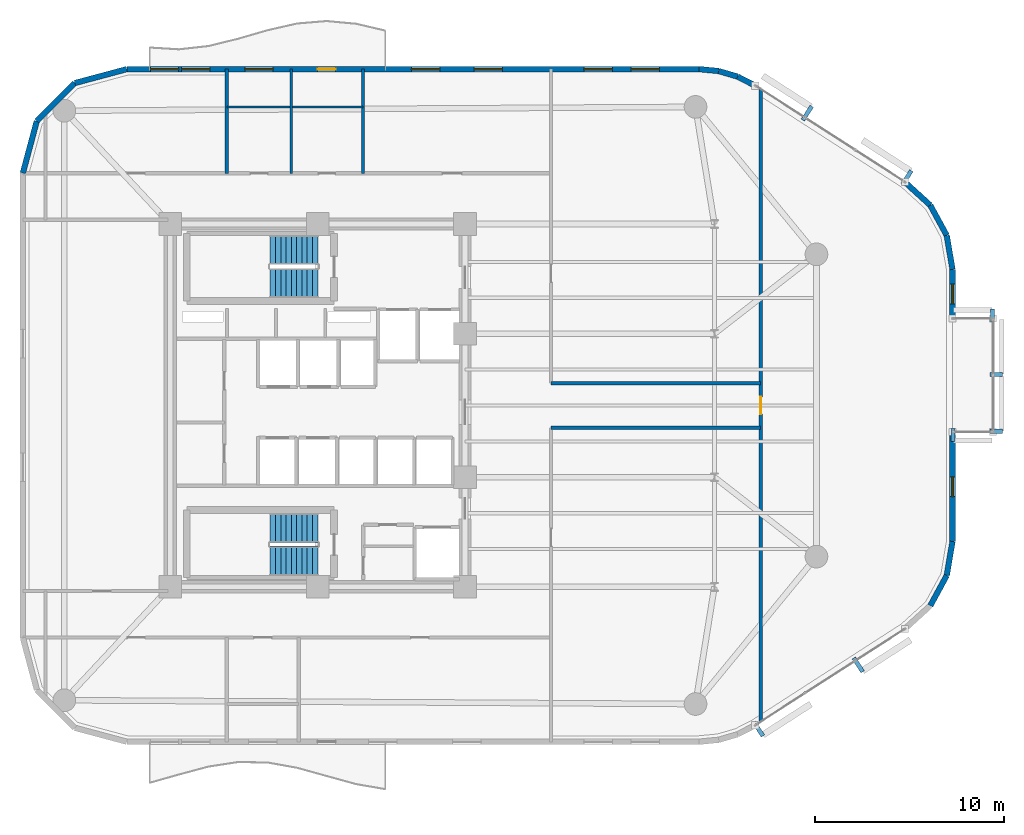
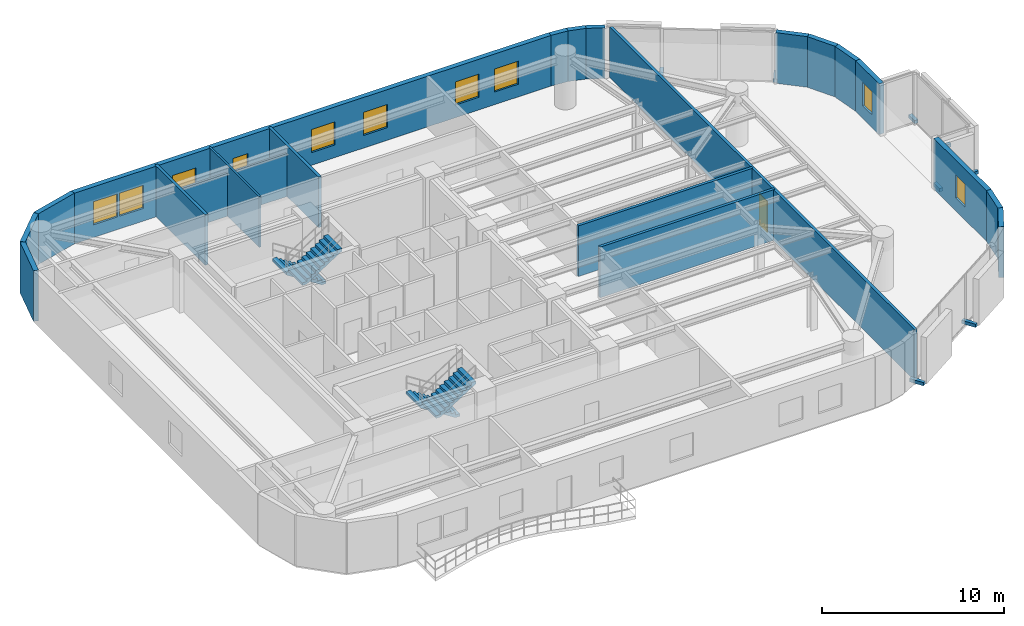
# One storey, part 10 of 12: 21 walls, 9 windows, 8 discrete accessories, 4 stair flights, 2 doors, 11 openings, 2 elements without a shape of their own.
"""IFC4 building model written with IfcOpenShell, lengths in metres."""

from ifc_helpers import new_model, si_unit, direction, frame, frame_2d, origin, origin_2d, place, context, subcontext, project, spatial, polyline, rectangle, outline, extrude, material, layer, layer_set, type_object, element, fill, aggregate, save


model = new_model("IFC4")

# Units and contexts
model_context = context("Model", 3, precision=1e-05, world=origin(), true_north=direction((0.0, 1.0)))
body_context = subcontext(model_context, "Body", "Model", "MODEL_VIEW")
ifc_project = project(units=[si_unit("LENGTHUNIT", "METRE"), si_unit("AREAUNIT", "SQUARE_METRE"), si_unit("VOLUMEUNIT", "CUBIC_METRE"), si_unit("PLANEANGLEUNIT", "RADIAN"), si_unit("MASSUNIT", "GRAM", prefix="KILO")], contexts=[model_context])

# Site, building, storey
site_placement = place(None, origin())
site = spatial("IfcSite", under=ifc_project, at=site_placement, CompositionType="ELEMENT")
building_placement = place(site_placement, origin())
building = spatial("IfcBuilding", under=site, at=building_placement, Name="An Khanh Terracotta Commons", CompositionType="ELEMENT")
storey_placement = place(building_placement, frame((0.0, 0.0, 161.800048828125)))
storey = spatial("IfcBuildingStorey", under=building, at=storey_placement, Name="L42", CompositionType="ELEMENT", Elevation=161.800048828125)

# Walls
ifc_material_1 = material(Name="Fire-Rated Gypsum Board on Steel Stud", Category="steel")
ifc_layer_1 = layer(ifc_material_1, 0.179931640625, Name="Fire-Rated Gypsum Board on Steel Stud")
ifc_layer_set_1 = layer_set([ifc_layer_1], Name="Fire-Rated Gypsum Board on Steel Stud")
wall_type_1 = type_object("IfcWallType", Name="WALL-CORR-180", PredefinedType="PARTITIONING", material=ifc_layer_set_1)
for number, where, z_axis, x_axis, name in (
    (1, (41.75, 22.820068359375, 0.0), (0.0, 0.0, 1.0), (1.0, 0.0, 0.0), "L42 Interior Partition IW-L42-E004"),
    (2, (41.75, 25.179931640625, 0.0), (0.0, 0.0, 1.0), (1.0, 0.0, 0.0), "L42 Interior Partition IW-L42-E005"),
):
    element("IfcWall", number, at=place(storey_placement, frame(where, z_axis=z_axis, x_axis=x_axis)), inside=storey, type_object=wall_type_1, Name=name, PredefinedType="PARTITIONING", context=body_context, shape_type="SweptSolid", body=[
        extrude(rectangle(XDim=11.10009765625, YDim=0.179931640625, at=frame_2d((5.550048828125, 0.0))), origin(), (0.0, 0.0, 1.0), 3.39990234375),
    ])
for number, where, z_axis, x_axis, name in (
    (3, (24.60009765625, 36.280029296875, 0.0), (0.0, 0.0, 1.0), (0.0, 1.0, 0.0), "L42 Interior Partition IW-L42-E012"),
    (4, (31.800048828125, 36.280029296875, 0.0), (0.0, 0.0, 1.0), (0.0, 1.0, 0.0), "L42 Interior Partition IW-L42-E015"),
):
    element("IfcWall", number, at=place(storey_placement, frame(where, z_axis=z_axis, x_axis=x_axis)), inside=storey, type_object=wall_type_1, Name=name, PredefinedType="PARTITIONING", context=body_context, shape_type="SweptSolid", body=[
        extrude(rectangle(XDim=5.52001953125, YDim=0.179931640625, at=frame_2d((2.760009765625, 0.0))), origin(), (0.0, 0.0, 1.0), 3.39990234375),
    ])

# Wall, opening, door
wall_1_placement = place(storey_placement, frame((52.85009765625, 7.262939453125, 0.0), z_axis=(0.0, 0.0, 1.0), x_axis=(0.0, 1.0, 0.0)))
wall_1 = element("IfcWall", 5, at=wall_1_placement, inside=storey, type_object=wall_type_1, Name="L42 Interior Partition IW-L42-E018", PredefinedType="PARTITIONING", context=body_context, shape_type="SweptSolid", body=[
    extrude(rectangle(XDim=33.47412109375, YDim=0.179931640625, at=frame_2d((16.737060546875, 0.0))), origin(), (0.0, 0.0, 1.0), 3.39990234375),
])
opening_1_placement = place(wall_1_placement, frame((16.277099609375, 0.0, 0.0)))
opening_1 = element("IfcOpeningElement", 6, at=opening_1_placement, cuts=wall_1, Name="Opening D-RM", PredefinedType="OPENING", context=body_context, shape_type="SweptSolid", body=[
    extrude(rectangle(XDim=0.919921875, YDim=2.10009765625, at=frame_2d((0.4599609375, 1.050048828125))), frame((0.0, 0.099853515625, 0.0), z_axis=(0.0, -1.0, 0.0), x_axis=(1.0, 0.0, 0.0)), (0.0, 0.0, 1.0), 0.199951171875),
])
ifc_material_2 = material(Name="Engineered Hardwood Timber Leaf", Category="wood")
door_type_1 = type_object("IfcDoorType", Name="DOOR-INT-920", OperationType="NOTDEFINED", PredefinedType="DOOR", material=ifc_material_2)
door_1_placement = place(opening_1_placement, origin())
door_1 = element("IfcDoor", 7, at=door_1_placement, inside=storey, type_object=door_type_1, Name="L42 GHALL Riverfront Reference Library Door", OperationType="SINGLE_SWING_RIGHT", OverallHeight=2.10009765625, OverallWidth=0.919921875, PredefinedType="DOOR", context=body_context, shape_type="SweptSolid", body=[
    extrude(rectangle(XDim=0.919921875, YDim=2.10009765625, at=frame_2d((0.4599609375, 1.050048828125))), frame((0.0, 0.02490234375, 0.0), z_axis=(0.0, -1.0, 0.0), x_axis=(1.0, 0.0, 0.0)), (0.0, 0.0, 1.0), 0.050048828125),
])
fill(opening_1, door_1)

# Walls
ifc_material_3 = material(Name="Precast concrete C40/50", Category="concrete")
ifc_layer_2 = layer(ifc_material_3, 0.300048828125, Name="Precast concrete C40/50")
ifc_layer_set_2 = layer_set([ifc_layer_2], Name="Precast concrete C40/50")
wall_type_2 = type_object("IfcWallType", Name="WALL-EXT-300", PredefinedType="SOLIDWALL", material=ifc_layer_set_2)
wall_2_placement = place(storey_placement, frame((61.825927734375, 13.403076171875, 0.0), z_axis=(0.0, 0.0, 1.0), x_axis=(0.478608030646, 0.878028674362, 0.0)))
element("IfcWall", 8, at=wall_2_placement, inside=storey, type_object=wall_type_2, Name="L42 Insulated Terracotta Exterior Wall 10", PredefinedType="SOLIDWALL", context=body_context, shape_type="SweptSolid", body=[
    extrude(rectangle(XDim=1.822021484375, YDim=0.300048828125, at=frame_2d((0.9111328125, 0.0))), origin(), (0.0, 0.0, 1.0), 3.39990234375),
])
wall_3_placement = place(storey_placement, frame((62.697998046875, 15.0029296875, 0.0), z_axis=(0.0, 0.0, 1.0), x_axis=(0.165724081207, 0.986172159873, 0.0)))
element("IfcWall", 9, at=wall_3_placement, inside=storey, type_object=wall_type_2, Name="L42 Insulated Terracotta Exterior Wall 11", PredefinedType="SOLIDWALL", context=body_context, shape_type="SweptSolid", body=[
    extrude(rectangle(XDim=1.822265625, YDim=0.300048828125, at=frame_2d((0.9111328125, 0.0))), origin(), (0.0, 0.0, 1.0), 3.39990234375),
])

# Wall, opening, window
wall_4_placement = place(storey_placement, frame((63.0, 16.800048828125, 0.0), z_axis=(0.0, 0.0, 1.0), x_axis=(0.0, 1.0, 0.0)))
wall_4 = element("IfcWall", 10, at=wall_4_placement, inside=storey, type_object=wall_type_2, Name="L42 East Nose Wall South", PredefinedType="SOLIDWALL", context=body_context, shape_type="SweptSolid", body=[
    extrude(rectangle(XDim=5.800048828125, YDim=0.300048828125, at=frame_2d((2.89990234375, 0.0))), origin(), (0.0, 0.0, 1.0), 3.39990234375),
])
opening_2_placement = place(wall_4_placement, frame((2.375, 0.0, 0.85009765625)))
opening_2 = element("IfcOpeningElement", 11, at=opening_2_placement, cuts=wall_4, Name="Opening W-06", PredefinedType="OPENING", context=body_context, shape_type="SweptSolid", body=[
    extrude(rectangle(XDim=1.050048828125, YDim=1.550048828125, at=frame_2d((0.52490234375, 0.77490234375))), frame((0.0, 0.159912109375, 0.0), z_axis=(0.0, -1.0, 0.0), x_axis=(1.0, 0.0, 0.0)), (0.0, 0.0, 1.0), 0.320068359375),
])
ifc_material_4 = material(Name="Thermally Broken Aluminium and Low-E Glass", Category="aluminium")
window_type_1 = type_object("IfcWindowType", Name="WIN-COR-1050x1550", PartitioningType="SINGLE_PANEL", PredefinedType="WINDOW", material=ifc_material_4)
window_1_placement = place(opening_2_placement, origin())
window_1 = element("IfcWindow", 12, at=window_1_placement, inside=storey, type_object=window_type_1, Name="L42 East Nose South Casement Window", OverallHeight=1.550048828125, OverallWidth=1.050048828125, PartitioningType="SINGLE_PANEL", PredefinedType="WINDOW", context=body_context, shape_type="SweptSolid", body=[
    extrude(rectangle(XDim=1.050048828125, YDim=1.550048828125, at=frame_2d((0.52490234375, 0.77490234375))), frame((0.0, 0.030029296875, 0.0), z_axis=(0.0, -1.0, 0.0), x_axis=(1.0, 0.0, 0.0)), (0.0, 0.0, 1.0), 0.06005859375),
])
fill(opening_2, window_1)

wall_5_placement = place(storey_placement, frame((63.0, 28.60009765625, 0.0), z_axis=(0.0, 0.0, 1.0), x_axis=(0.0, 1.0, 0.0)))
wall_5 = element("IfcWall", 13, at=wall_5_placement, inside=storey, type_object=wall_type_2, Name="L42 East Nose Wall North", PredefinedType="SOLIDWALL", context=body_context, shape_type="SweptSolid", body=[
    extrude(rectangle(XDim=2.599853515625, YDim=0.300048828125, at=frame_2d((1.2998046875, 0.0))), origin(), (0.0, 0.0, 1.0), 3.39990234375),
])
opening_3_placement = place(wall_5_placement, frame((0.77490234375, 0.0, 0.85009765625)))
opening_3 = element("IfcOpeningElement", 14, at=opening_3_placement, cuts=wall_5, Name="Opening W-06", PredefinedType="OPENING", context=body_context, shape_type="SweptSolid", body=[
    extrude(rectangle(XDim=1.050048828125, YDim=1.550048828125, at=frame_2d((0.52490234375, 0.77490234375))), frame((0.0, 0.159912109375, 0.0), z_axis=(0.0, -1.0, 0.0), x_axis=(1.0, 0.0, 0.0)), (0.0, 0.0, 1.0), 0.320068359375),
])
window_2_placement = place(opening_3_placement, origin())
window_2 = element("IfcWindow", 15, at=window_2_placement, inside=storey, type_object=window_type_1, Name="L42 East Nose North Casement Window", OverallHeight=1.550048828125, OverallWidth=1.050048828125, PartitioningType="SINGLE_PANEL", PredefinedType="WINDOW", context=body_context, shape_type="SweptSolid", body=[
    extrude(rectangle(XDim=1.050048828125, YDim=1.550048828125, at=frame_2d((0.52490234375, 0.77490234375))), frame((0.0, 0.030029296875, 0.0), z_axis=(0.0, -1.0, 0.0), x_axis=(1.0, 0.0, 0.0)), (0.0, 0.0, 1.0), 0.06005859375),
])
fill(opening_3, window_2)

# Walls
wall_6_placement = place(storey_placement, frame((63.0, 31.199951171875, 0.0), z_axis=(0.0, 0.0, 1.0), x_axis=(-0.165724081207, 0.986172159873, 0.0)))
element("IfcWall", 16, at=wall_6_placement, inside=storey, type_object=wall_type_2, Name="L42 Insulated Terracotta Exterior Wall 13", PredefinedType="SOLIDWALL", context=body_context, shape_type="SweptSolid", body=[
    extrude(rectangle(XDim=1.822265625, YDim=0.300048828125, at=frame_2d((0.9111328125, 0.0))), origin(), (0.0, 0.0, 1.0), 3.39990234375),
])
wall_7_placement = place(storey_placement, frame((62.697998046875, 32.9970703125, 0.0), z_axis=(0.0, 0.0, 1.0), x_axis=(-0.478608030646, 0.878028674362, 0.0)))
element("IfcWall", 17, at=wall_7_placement, inside=storey, type_object=wall_type_2, Name="L42 Insulated Terracotta Exterior Wall 14", PredefinedType="SOLIDWALL", context=body_context, shape_type="SweptSolid", body=[
    extrude(rectangle(XDim=1.822021484375, YDim=0.300048828125, at=frame_2d((0.9111328125, 0.0))), origin(), (0.0, 0.0, 1.0), 3.39990234375),
])
wall_8_placement = place(storey_placement, frame((61.825927734375, 34.596923828125, 0.0), z_axis=(0.0, 0.0, 1.0), x_axis=(-0.73947929393, 0.673179302897, 0.0)))
element("IfcWall", 18, at=wall_8_placement, inside=storey, type_object=wall_type_2, Name="L42 Insulated Terracotta Exterior Wall 15", PredefinedType="SOLIDWALL", context=body_context, shape_type="SweptSolid", body=[
    extrude(rectangle(XDim=1.82275390625, YDim=0.300048828125, at=frame_2d((0.911376953125, 0.0))), origin(), (0.0, 0.0, 1.0), 3.39990234375),
])
wall_9_placement = place(storey_placement, frame((52.56005859375, 40.924072265625, 0.0), z_axis=(0.0, 0.0, 1.0), x_axis=(-0.888283247196, 0.459296062198, 0.0)))
element("IfcWall", 19, at=wall_9_placement, inside=storey, type_object=wall_type_2, Name="L42 Insulated Terracotta Exterior Wall 17", PredefinedType="SOLIDWALL", context=body_context, shape_type="SweptSolid", body=[
    extrude(rectangle(XDim=1.047119140625, YDim=0.300048828125, at=frame_2d((0.5234375, 0.0))), origin(), (0.0, 0.0, 1.0), 3.39990234375),
])
wall_10_placement = place(storey_placement, frame((51.6298828125, 41.405029296875, 0.0), z_axis=(0.0, 0.0, 1.0), x_axis=(-0.959528674476, 0.281610942363, 0.0)))
element("IfcWall", 20, at=wall_10_placement, inside=storey, type_object=wall_type_2, Name="L42 Insulated Terracotta Exterior Wall 18", PredefinedType="SOLIDWALL", context=body_context, shape_type="SweptSolid", body=[
    extrude(rectangle(XDim=1.04736328125, YDim=0.300048828125, at=frame_2d((0.523681640625, 0.0))), origin(), (0.0, 0.0, 1.0), 3.39990234375),
])
wall_11_placement = place(storey_placement, frame((50.625, 41.699951171875, 0.0), z_axis=(0.0, 0.0, 1.0), x_axis=(-0.995426089968, 0.095534807324, 0.0)))
element("IfcWall", 21, at=wall_11_placement, inside=storey, type_object=wall_type_2, Name="L42 Insulated Terracotta Exterior Wall 19", PredefinedType="SOLIDWALL", context=body_context, shape_type="SweptSolid", body=[
    extrude(rectangle(XDim=1.0478515625, YDim=0.300048828125, at=frame_2d((0.52392578125, 0.0))), origin(), (0.0, 0.0, 1.0), 3.39990234375),
])

# Wall, openings, door, windows
wall_12_placement = place(storey_placement, frame((49.58203125, 41.800048828125, 0.0), z_axis=(0.0, 0.0, 1.0), x_axis=(-1.0, 0.0, 0.0)))
wall_12 = element("IfcWall", 22, at=wall_12_placement, inside=storey, type_object=wall_type_2, Name="L42 Insulated Terracotta Exterior Wall 20", PredefinedType="SOLIDWALL", context=body_context, shape_type="SweptSolid", body=[
    extrude(rectangle(XDim=30.281982421875, YDim=0.300048828125, at=frame_2d((15.14111328125, 0.0))), origin(), (0.0, 0.0, 1.0), 3.39990234375),
])
opening_4_placement = place(wall_12_placement, frame((19.23193359375, 0.0, 0.0)))
opening_4 = element("IfcOpeningElement", 23, at=opening_4_placement, cuts=wall_12, Name="Opening D-BAL", PredefinedType="OPENING", context=body_context, shape_type="SweptSolid", body=[
    extrude(rectangle(XDim=0.949951171875, YDim=2.199951171875, at=frame_2d((0.47509765625, 1.10009765625))), frame((0.0, 0.159912109375, 0.0), z_axis=(0.0, -1.0, 0.0), x_axis=(1.0, 0.0, 0.0)), (0.0, 0.0, 1.0), 0.320068359375),
])
opening_5_placement = place(wall_12_placement, frame((2.093994140625, 0.0, 0.85009765625)))
opening_5 = element("IfcOpeningElement", 24, at=opening_5_placement, cuts=wall_12, Name="Opening W-03", PredefinedType="OPENING", context=body_context, shape_type="SweptSolid", body=[
    extrude(rectangle(XDim=1.5, YDim=1.550048828125, at=frame_2d((0.75, 0.77490234375))), frame((0.0, 0.159912109375, 0.0), z_axis=(0.0, -1.0, 0.0), x_axis=(1.0, 0.0, 0.0)), (0.0, 0.0, 1.0), 0.320068359375),
])
opening_6_placement = place(wall_12_placement, frame((4.587890625, 0.0, 0.85009765625)))
opening_6 = element("IfcOpeningElement", 25, at=opening_6_placement, cuts=wall_12, Name="Opening W-03", PredefinedType="OPENING", context=body_context, shape_type="SweptSolid", body=[
    extrude(rectangle(XDim=1.5, YDim=1.550048828125, at=frame_2d((0.75, 0.77490234375))), frame((0.0, 0.159912109375, 0.0), z_axis=(0.0, -1.0, 0.0), x_axis=(1.0, 0.0, 0.0)), (0.0, 0.0, 1.0), 0.320068359375),
])
opening_7_placement = place(wall_12_placement, frame((10.39892578125, 0.0, 0.85009765625)))
opening_7 = element("IfcOpeningElement", 26, at=opening_7_placement, cuts=wall_12, Name="Opening W-03", PredefinedType="OPENING", context=body_context, shape_type="SweptSolid", body=[
    extrude(rectangle(XDim=1.5, YDim=1.550048828125, at=frame_2d((0.75, 0.77490234375))), frame((0.0, 0.159912109375, 0.0), z_axis=(0.0, -1.0, 0.0), x_axis=(1.0, 0.0, 0.0)), (0.0, 0.0, 1.0), 0.320068359375),
])
opening_8_placement = place(wall_12_placement, frame((13.715087890625, 0.0, 0.85009765625)))
opening_8 = element("IfcOpeningElement", 27, at=opening_8_placement, cuts=wall_12, Name="Opening W-03", PredefinedType="OPENING", context=body_context, shape_type="SweptSolid", body=[
    extrude(rectangle(XDim=1.5, YDim=1.550048828125, at=frame_2d((0.75, 0.77490234375))), frame((0.0, 0.159912109375, 0.0), z_axis=(0.0, -1.0, 0.0), x_axis=(1.0, 0.0, 0.0)), (0.0, 0.0, 1.0), 0.320068359375),
])
opening_9_placement = place(wall_12_placement, frame((22.531982421875, 0.0, 0.85009765625)))
opening_9 = element("IfcOpeningElement", 28, at=opening_9_placement, cuts=wall_12, Name="Opening W-03", PredefinedType="OPENING", context=body_context, shape_type="SweptSolid", body=[
    extrude(rectangle(XDim=1.5, YDim=1.550048828125, at=frame_2d((0.75, 0.77490234375))), frame((0.0, 0.159912109375, 0.0), z_axis=(0.0, -1.0, 0.0), x_axis=(1.0, 0.0, 0.0)), (0.0, 0.0, 1.0), 0.320068359375),
])
opening_10_placement = place(wall_12_placement, frame((25.882080078125, 0.0, 0.85009765625)))
opening_10 = element("IfcOpeningElement", 29, at=opening_10_placement, cuts=wall_12, Name="Opening W-03", PredefinedType="OPENING", context=body_context, shape_type="SweptSolid", body=[
    extrude(rectangle(XDim=1.5, YDim=1.550048828125, at=frame_2d((0.75, 0.77490234375))), frame((0.0, 0.159912109375, 0.0), z_axis=(0.0, -1.0, 0.0), x_axis=(1.0, 0.0, 0.0)), (0.0, 0.0, 1.0), 0.320068359375),
])
opening_11_placement = place(wall_12_placement, frame((27.531982421875, 0.0, 0.85009765625)))
opening_11 = element("IfcOpeningElement", 30, at=opening_11_placement, cuts=wall_12, Name="Opening W-03", PredefinedType="OPENING", context=body_context, shape_type="SweptSolid", body=[
    extrude(rectangle(XDim=1.5, YDim=1.550048828125, at=frame_2d((0.75, 0.77490234375))), frame((0.0, 0.159912109375, 0.0), z_axis=(0.0, -1.0, 0.0), x_axis=(1.0, 0.0, 0.0)), (0.0, 0.0, 1.0), 0.320068359375),
])
door_type_2 = type_object("IfcDoorType", Name="DOOR-BALC-950", OperationType="NOTDEFINED", PredefinedType="DOOR", material=ifc_material_4)
door_2_placement = place(opening_4_placement, origin())
door_2 = element("IfcDoor", 31, at=door_2_placement, inside=storey, type_object=door_type_2, Name="L42 N Wave Balcony Glazed Door", OperationType="SINGLE_SWING_RIGHT", OverallHeight=2.199951171875, OverallWidth=0.949951171875, PredefinedType="DOOR", context=body_context, shape_type="SweptSolid", body=[
    extrude(rectangle(XDim=0.949951171875, YDim=2.199951171875, at=frame_2d((0.47509765625, 1.10009765625))), frame((0.0, 0.02490234375, 0.0), z_axis=(0.0, -1.0, 0.0), x_axis=(1.0, 0.0, 0.0)), (0.0, 0.0, 1.0), 0.050048828125),
])
fill(opening_4, door_2)
window_type_2 = type_object("IfcWindowType", Name="WIN-Z3-1500x1550", PartitioningType="DOUBLE_PANEL_VERTICAL", PredefinedType="WINDOW", material=ifc_material_4)
window_3_placement = place(opening_5_placement, origin())
window_3 = element("IfcWindow", 32, at=window_3_placement, inside=storey, type_object=window_type_2, Name="L42 Operable Casement Window 20.1", OverallHeight=1.550048828125, OverallWidth=1.5, PartitioningType="DOUBLE_PANEL_VERTICAL", PredefinedType="WINDOW", context=body_context, shape_type="SweptSolid", body=[
    extrude(rectangle(XDim=1.5, YDim=1.550048828125, at=frame_2d((0.75, 0.77490234375))), frame((0.0, 0.030029296875, 0.0), z_axis=(0.0, -1.0, 0.0), x_axis=(1.0, 0.0, 0.0)), (0.0, 0.0, 1.0), 0.06005859375),
])
fill(opening_5, window_3)
window_4_placement = place(opening_6_placement, origin())
window_4 = element("IfcWindow", 33, at=window_4_placement, inside=storey, type_object=window_type_2, Name="L42 Operable Casement Window 20.2", OverallHeight=1.550048828125, OverallWidth=1.5, PartitioningType="DOUBLE_PANEL_VERTICAL", PredefinedType="WINDOW", context=body_context, shape_type="SweptSolid", body=[
    extrude(rectangle(XDim=1.5, YDim=1.550048828125, at=frame_2d((0.75, 0.77490234375))), frame((0.0, 0.030029296875, 0.0), z_axis=(0.0, -1.0, 0.0), x_axis=(1.0, 0.0, 0.0)), (0.0, 0.0, 1.0), 0.06005859375),
])
fill(opening_6, window_4)
window_5_placement = place(opening_7_placement, origin())
window_5 = element("IfcWindow", 34, at=window_5_placement, inside=storey, type_object=window_type_2, Name="L42 Operable Casement Window 20.3", OverallHeight=1.550048828125, OverallWidth=1.5, PartitioningType="DOUBLE_PANEL_VERTICAL", PredefinedType="WINDOW", context=body_context, shape_type="SweptSolid", body=[
    extrude(rectangle(XDim=1.5, YDim=1.550048828125, at=frame_2d((0.75, 0.77490234375))), frame((0.0, 0.030029296875, 0.0), z_axis=(0.0, -1.0, 0.0), x_axis=(1.0, 0.0, 0.0)), (0.0, 0.0, 1.0), 0.06005859375),
])
fill(opening_7, window_5)
window_6_placement = place(opening_8_placement, origin())
window_6 = element("IfcWindow", 35, at=window_6_placement, inside=storey, type_object=window_type_2, Name="L42 Operable Casement Window 20.4", OverallHeight=1.550048828125, OverallWidth=1.5, PartitioningType="DOUBLE_PANEL_VERTICAL", PredefinedType="WINDOW", context=body_context, shape_type="SweptSolid", body=[
    extrude(rectangle(XDim=1.5, YDim=1.550048828125, at=frame_2d((0.75, 0.77490234375))), frame((0.0, 0.030029296875, 0.0), z_axis=(0.0, -1.0, 0.0), x_axis=(1.0, 0.0, 0.0)), (0.0, 0.0, 1.0), 0.06005859375),
])
fill(opening_8, window_6)
window_7_placement = place(opening_9_placement, origin())
window_7 = element("IfcWindow", 36, at=window_7_placement, inside=storey, type_object=window_type_2, Name="L42 Operable Casement Window 20.5", OverallHeight=1.550048828125, OverallWidth=1.5, PartitioningType="DOUBLE_PANEL_VERTICAL", PredefinedType="WINDOW", context=body_context, shape_type="SweptSolid", body=[
    extrude(rectangle(XDim=1.5, YDim=1.550048828125, at=frame_2d((0.75, 0.77490234375))), frame((0.0, 0.030029296875, 0.0), z_axis=(0.0, -1.0, 0.0), x_axis=(1.0, 0.0, 0.0)), (0.0, 0.0, 1.0), 0.06005859375),
])
fill(opening_9, window_7)
window_8_placement = place(opening_10_placement, origin())
window_8 = element("IfcWindow", 37, at=window_8_placement, inside=storey, type_object=window_type_2, Name="L42 Operable Casement Window 20.6", OverallHeight=1.550048828125, OverallWidth=1.5, PartitioningType="DOUBLE_PANEL_VERTICAL", PredefinedType="WINDOW", context=body_context, shape_type="SweptSolid", body=[
    extrude(rectangle(XDim=1.5, YDim=1.550048828125, at=frame_2d((0.75, 0.77490234375))), frame((0.0, 0.030029296875, 0.0), z_axis=(0.0, -1.0, 0.0), x_axis=(1.0, 0.0, 0.0)), (0.0, 0.0, 1.0), 0.06005859375),
])
fill(opening_10, window_8)
window_9_placement = place(opening_11_placement, origin())
window_9 = element("IfcWindow", 38, at=window_9_placement, inside=storey, type_object=window_type_2, Name="L42 Operable Casement Window 20.7", OverallHeight=1.550048828125, OverallWidth=1.5, PartitioningType="DOUBLE_PANEL_VERTICAL", PredefinedType="WINDOW", context=body_context, shape_type="SweptSolid", body=[
    extrude(rectangle(XDim=1.5, YDim=1.550048828125, at=frame_2d((0.75, 0.77490234375))), frame((0.0, 0.030029296875, 0.0), z_axis=(0.0, -1.0, 0.0), x_axis=(1.0, 0.0, 0.0)), (0.0, 0.0, 1.0), 0.06005859375),
])
fill(opening_11, window_9)

# Walls
wall_13_placement = place(storey_placement, frame((19.300048828125, 41.800048828125, 0.0), z_axis=(0.0, 0.0, 1.0), x_axis=(-0.965908238586, -0.258884674387, 0.0)))
element("IfcWall", 39, at=wall_13_placement, inside=storey, type_object=wall_type_2, Name="L42 Insulated Terracotta Exterior Wall 21", PredefinedType="SOLIDWALL", context=body_context, shape_type="SweptSolid", body=[
    extrude(rectangle(XDim=2.84716796875, YDim=0.300048828125, at=frame_2d((1.423583984375, 0.0))), origin(), (0.0, 0.0, 1.0), 3.39990234375),
])
wall_14_placement = place(storey_placement, frame((16.550048828125, 41.06298828125, 0.0), z_axis=(0.0, 0.0, 1.0), x_axis=(-0.707106781187, -0.707106781187, 0.0)))
element("IfcWall", 40, at=wall_14_placement, inside=storey, type_object=wall_type_2, Name="L42 Insulated Terracotta Exterior Wall 22", PredefinedType="SOLIDWALL", context=body_context, shape_type="SweptSolid", body=[
    extrude(rectangle(XDim=2.8466796875, YDim=0.300048828125, at=frame_2d((1.42333984375, 0.0))), origin(), (0.0, 0.0, 1.0), 3.39990234375),
])
wall_15_placement = place(storey_placement, frame((14.537109375, 39.050048828125, 0.0), z_axis=(0.0, 0.0, 1.0), x_axis=(-0.258884674387, -0.965908238586, 0.0)))
element("IfcWall", 41, at=wall_15_placement, inside=storey, type_object=wall_type_2, Name="L42 Insulated Terracotta Exterior Wall 23", PredefinedType="SOLIDWALL", context=body_context, shape_type="SweptSolid", body=[
    extrude(rectangle(XDim=2.84716796875, YDim=0.300048828125, at=frame_2d((1.423583984375, 0.0))), origin(), (0.0, 0.0, 1.0), 3.39990234375),
])
ifc_material_5 = material(Name="Moisture-Resistant Cement Board Partition")
ifc_layer_3 = layer(ifc_material_5, 0.1201171875, Name="Moisture-Resistant Cement Board Partition")
ifc_layer_set_3 = layer_set([ifc_layer_3], Name="Moisture-Resistant Cement Board Partition")
wall_type_3 = type_object("IfcWallType", Name="WALL-WET-120", PredefinedType="PARTITIONING", material=ifc_layer_set_3)
wall_16_placement = place(storey_placement, frame((24.60009765625, 39.800048828125, 0.0), z_axis=(0.0, 0.0, 1.0), x_axis=(1.0, 0.0, 0.0)))
element("IfcWall", 42, at=wall_16_placement, inside=storey, type_object=wall_type_3, Name="L42 Interior Partition IW-L42-E008", PredefinedType="PARTITIONING", context=body_context, shape_type="SweptSolid", body=[
    extrude(rectangle(XDim=7.199951171875, YDim=0.1201171875, at=frame_2d((3.60009765625, 0.0))), origin(), (0.0, 0.0, 1.0), 2.8818359375),
])
wall_17_placement = place(storey_placement, frame((28.0, 36.280029296875, 0.0), z_axis=(0.0, 0.0, 1.0), x_axis=(0.0, 1.0, 0.0)))
element("IfcWall", 43, at=wall_17_placement, inside=storey, type_object=wall_type_3, Name="L42 Interior Partition IW-L42-E013", PredefinedType="PARTITIONING", context=body_context, shape_type="SweptSolid", body=[
    extrude(rectangle(XDim=5.52001953125, YDim=0.1201171875, at=frame_2d((2.760009765625, 0.0))), origin(), (0.0, 0.0, 1.0), 3.39990234375),
])

# Stair, stair flights
stair_type = type_object("IfcStairType", Name="STAIR-CORE-1550", PredefinedType="HALF_TURN_STAIR", material=ifc_material_3)
stair_1_placement = place(storey_placement, origin())
stair_1 = element("IfcStair", 44, at=stair_1_placement, inside=storey, type_object=stair_type, Name="L42 Core Smokeproof Exit Stair ST-01", PredefinedType="HALF_TURN_STAIR")
stair_flight_type = type_object("IfcStairFlightType", Name="FLIGHT-CORE-1550", PredefinedType="STRAIGHT", material=ifc_material_3)
stair_flight_1_placement = place(storey_placement, frame((29.409912109375, 32.22509765625, 0.0), z_axis=(0.0, 0.0, 1.0), x_axis=(-1.0, 0.0, 0.0)))
stair_flight_1 = element("IfcStairFlight", 45, at=stair_flight_1_placement, type_object=stair_flight_type, Name="ST-01 flight 1", NumberOfRisers=10, NumberOfTreads=9, PredefinedType="STRAIGHT", RiserHeight=0.18, TreadLength=0.28, context=body_context, shape_type="SweptSolid", body=[
    extrude(outline(polyline([(0.0, 0.0), (0.0, 0.179931640625), (0.280029296875, 0.179931640625), (0.280029296875, 0.360107421875), (0.56005859375, 0.360107421875), (0.56005859375, 0.5400390625), (0.840087890625, 0.5400390625), (0.840087890625, 0.719970703125), (1.1201171875, 0.719970703125), (1.1201171875, 0.89990234375), (1.39990234375, 0.89990234375), (1.39990234375, 1.080078125), (1.679931640625, 1.080078125), (1.679931640625, 1.260009765625), (1.9599609375, 1.260009765625), (1.9599609375, 1.43994140625), (2.239990234375, 1.43994140625), (2.239990234375, 1.6201171875), (2.52001953125, 1.6201171875), (2.52001953125, 1.800048828125), (2.52001953125, 1.44189453125), (0.277099609375, 0.0), (0.0, 0.0)])), frame((0.0, 0.77490234375, 0.0), z_axis=(0.0, -1.0, 0.0), x_axis=(1.0, 0.0, 0.0)), (0.0, 0.0, 1.0), 1.550048828125),
])
stair_flight_2_placement = place(storey_placement, frame((26.889892578125, 30.47509765625, 1.800048828125), z_axis=(0.0, 0.0, 1.0), x_axis=(1.0, 0.0, 0.0)))
stair_flight_2 = element("IfcStairFlight", 46, at=stair_flight_2_placement, type_object=stair_flight_type, Name="ST-01 flight 2", NumberOfRisers=10, NumberOfTreads=9, PredefinedType="STRAIGHT", RiserHeight=0.18, TreadLength=0.28, context=body_context, shape_type="SweptSolid", body=[
    extrude(outline(polyline([(0.0, 0.0), (0.0, 0.179931640625), (0.280029296875, 0.179931640625), (0.280029296875, 0.360107421875), (0.56005859375, 0.360107421875), (0.56005859375, 0.5400390625), (0.840087890625, 0.5400390625), (0.840087890625, 0.719970703125), (1.1201171875, 0.719970703125), (1.1201171875, 0.89990234375), (1.39990234375, 0.89990234375), (1.39990234375, 1.080078125), (1.679931640625, 1.080078125), (1.679931640625, 1.260009765625), (1.9599609375, 1.260009765625), (1.9599609375, 1.43994140625), (2.239990234375, 1.43994140625), (2.239990234375, 1.6201171875), (2.52001953125, 1.6201171875), (2.52001953125, 1.800048828125), (2.52001953125, 1.44189453125), (0.277099609375, 0.0), (0.0, 0.0)])), frame((0.0, 0.77490234375, 0.0), z_axis=(0.0, -1.0, 0.0), x_axis=(1.0, 0.0, 0.0)), (0.0, 0.0, 1.0), 1.550048828125),
])
aggregate(stair_1, [stair_flight_1, stair_flight_2])

stair_2_placement = place(storey_placement, origin())
stair_2 = element("IfcStair", 47, at=stair_2_placement, inside=storey, type_object=stair_type, Name="L42 Core Smokeproof Exit Stair ST-02", PredefinedType="HALF_TURN_STAIR")
stair_flight_3_placement = place(storey_placement, frame((29.409912109375, 17.52490234375, 0.0), z_axis=(0.0, 0.0, 1.0), x_axis=(-1.0, 0.0, 0.0)))
stair_flight_3 = element("IfcStairFlight", 48, at=stair_flight_3_placement, type_object=stair_flight_type, Name="ST-02 flight 1", NumberOfRisers=10, NumberOfTreads=9, PredefinedType="STRAIGHT", RiserHeight=0.18, TreadLength=0.28, context=body_context, shape_type="SweptSolid", body=[
    extrude(outline(polyline([(0.0, 0.0), (0.0, 0.179931640625), (0.280029296875, 0.179931640625), (0.280029296875, 0.360107421875), (0.56005859375, 0.360107421875), (0.56005859375, 0.5400390625), (0.840087890625, 0.5400390625), (0.840087890625, 0.719970703125), (1.1201171875, 0.719970703125), (1.1201171875, 0.89990234375), (1.39990234375, 0.89990234375), (1.39990234375, 1.080078125), (1.679931640625, 1.080078125), (1.679931640625, 1.260009765625), (1.9599609375, 1.260009765625), (1.9599609375, 1.43994140625), (2.239990234375, 1.43994140625), (2.239990234375, 1.6201171875), (2.52001953125, 1.6201171875), (2.52001953125, 1.800048828125), (2.52001953125, 1.44189453125), (0.277099609375, 0.0), (0.0, 0.0)])), frame((0.0, 0.77490234375, 0.0), z_axis=(0.0, -1.0, 0.0), x_axis=(1.0, 0.0, 0.0)), (0.0, 0.0, 1.0), 1.550048828125),
])
stair_flight_4_placement = place(storey_placement, frame((26.889892578125, 15.77490234375, 1.800048828125), z_axis=(0.0, 0.0, 1.0), x_axis=(1.0, 0.0, 0.0)))
stair_flight_4 = element("IfcStairFlight", 49, at=stair_flight_4_placement, type_object=stair_flight_type, Name="ST-02 flight 2", NumberOfRisers=10, NumberOfTreads=9, PredefinedType="STRAIGHT", RiserHeight=0.18, TreadLength=0.28, context=body_context, shape_type="SweptSolid", body=[
    extrude(outline(polyline([(0.0, 0.0), (0.0, 0.179931640625), (0.280029296875, 0.179931640625), (0.280029296875, 0.360107421875), (0.56005859375, 0.360107421875), (0.56005859375, 0.5400390625), (0.840087890625, 0.5400390625), (0.840087890625, 0.719970703125), (1.1201171875, 0.719970703125), (1.1201171875, 0.89990234375), (1.39990234375, 0.89990234375), (1.39990234375, 1.080078125), (1.679931640625, 1.080078125), (1.679931640625, 1.260009765625), (1.9599609375, 1.260009765625), (1.9599609375, 1.43994140625), (2.239990234375, 1.43994140625), (2.239990234375, 1.6201171875), (2.52001953125, 1.6201171875), (2.52001953125, 1.800048828125), (2.52001953125, 1.44189453125), (0.277099609375, 0.0), (0.0, 0.0)])), frame((0.0, 0.77490234375, 0.0), z_axis=(0.0, -1.0, 0.0), x_axis=(1.0, 0.0, 0.0)), (0.0, 0.0, 1.0), 1.550048828125),
])
aggregate(stair_2, [stair_flight_3, stair_flight_4])

# Discrete accessories
ifc_material_6 = material(Name="Stainless Steel Grade 316L", Category="steel")
discrete_accessory_type = type_object("IfcDiscreteAccessoryType", Name="Stainless Outrigger Facade Bracket", PredefinedType="BRACKET", material=ifc_material_6)
for number, where, z_axis, x_axis, name in (
    (50, (52.73291015625, 6.8720703125, 0.06982421875), (0.0, 0.0, 1.0), (0.840702081986, 0.541497931062, 0.0), "L42 Terracotta Screen Outrigger Bracket 1"),
    (51, (58.011962890625, 10.27197265625, 0.06982421875), (0.0, 0.0, 1.0), (0.840702081986, 0.541497931062, 0.0), "L42 Terracotta Screen Outrigger Bracket 3"),
):
    element("IfcDiscreteAccessory", number, at=place(storey_placement, frame(where, z_axis=z_axis, x_axis=x_axis)), inside=storey, type_object=discrete_accessory_type, Name=name, PredefinedType="BRACKET", context=body_context, shape_type="SweptSolid", body=[
        extrude(rectangle(XDim=0.219970703125, YDim=0.8701171875, at=origin_2d()), origin(), (0.0, 0.0, 1.0), 0.219970703125),
    ])
for number, where, z_axis, x_axis, name in (
    (52, (65.31494140625, 22.633056640625, 0.06982421875), (0.0, 0.0, 1.0), (0.0, 1.0, 0.0), "L42 Terracotta Screen Outrigger Bracket 1"),
    (53, (65.31494140625, 25.633056640625, 0.06982421875), (0.0, 0.0, 1.0), (0.0, 1.0, 0.0), "L42 Terracotta Screen Outrigger Bracket 2"),
    (54, (63.031982421875, 22.43505859375, 0.06982421875), (0.0, 0.0, 1.0), (1.0, 0.0, 0.0), "L42 Terracotta Screen Outrigger Bracket 1"),
    (55, (65.117919921875, 28.764892578125, 0.06982421875), (0.0, 0.0, 1.0), (-1.0, 0.0, 0.0), "L42 Terracotta Screen Outrigger Bracket 1"),
):
    element("IfcDiscreteAccessory", number, at=place(storey_placement, frame(where, z_axis=z_axis, x_axis=x_axis)), inside=storey, type_object=discrete_accessory_type, Name=name, PredefinedType="BRACKET", context=body_context, shape_type="SweptSolid", body=[
        extrude(rectangle(XDim=0.219970703125, YDim=0.669921875, at=origin_2d()), origin(), (0.0, 0.0, 1.0), 0.219970703125),
    ])
for number, where, z_axis, x_axis, name in (
    (56, (60.592041015625, 36.06591796875, 0.06982421875), (0.0, 0.0, 1.0), (-0.840702081986, 0.541497931062, 0.0), "L42 Terracotta Screen Outrigger Bracket 1"),
    (57, (55.31298828125, 39.466064453125, 0.06982421875), (0.0, 0.0, 1.0), (-0.840702081986, 0.541497931062, 0.0), "L42 Terracotta Screen Outrigger Bracket 3"),
):
    element("IfcDiscreteAccessory", number, at=place(storey_placement, frame(where, z_axis=z_axis, x_axis=x_axis)), inside=storey, type_object=discrete_accessory_type, Name=name, PredefinedType="BRACKET", context=body_context, shape_type="SweptSolid", body=[
        extrude(rectangle(XDim=0.219970703125, YDim=0.8701171875, at=origin_2d()), origin(), (0.0, 0.0, 1.0), 0.219970703125),
    ])

save(model, "model.ifc")
